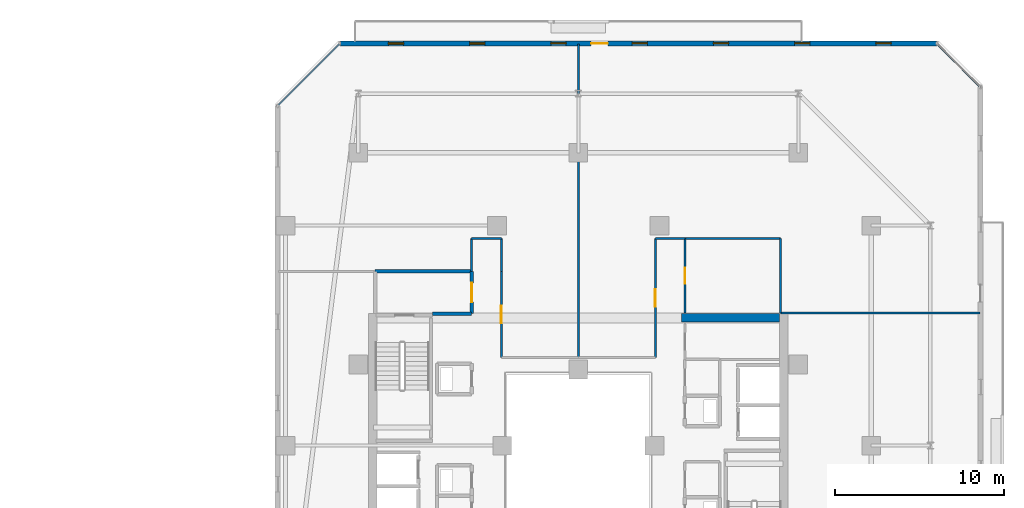
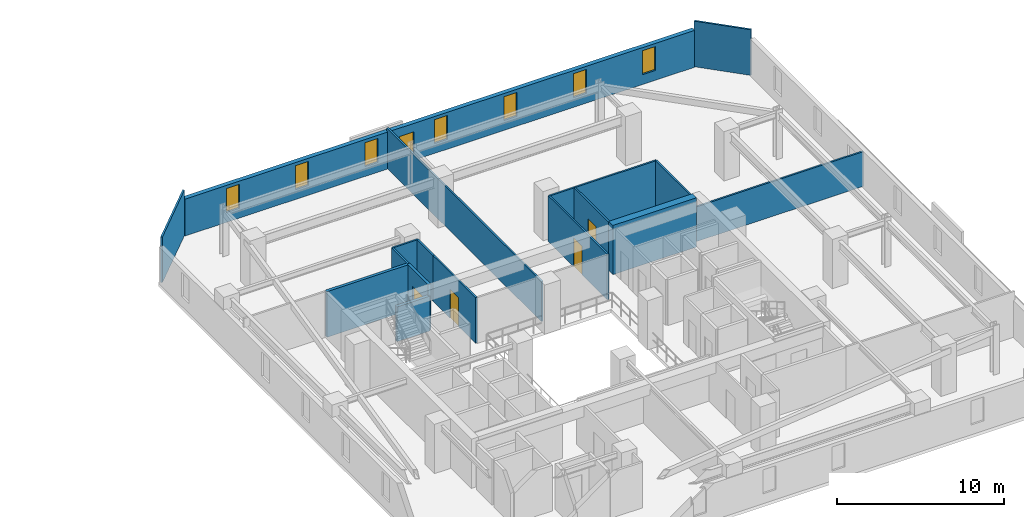
# One storey, part 25 of 32: 18 walls, 7 windows, 5 doors, 12 openings.
"""IFC4 building model written with IfcOpenShell, lengths in metres."""

from ifc_helpers import new_model, si_unit, direction, frame, frame_2d, origin, place, context, subcontext, project, spatial, rectangle, extrude, material, layer, layer_set, type_object, element, fill, save


model = new_model("IFC4")

# Units and contexts
model_context = context("Model", 3, precision=1e-05, world=origin(), true_north=direction((0.0, 1.0)))
body_context = subcontext(model_context, "Body", "Model", "MODEL_VIEW")
ifc_project = project(units=[si_unit("LENGTHUNIT", "METRE"), si_unit("AREAUNIT", "SQUARE_METRE"), si_unit("VOLUMEUNIT", "CUBIC_METRE"), si_unit("PLANEANGLEUNIT", "RADIAN"), si_unit("MASSUNIT", "GRAM", prefix="KILO")], contexts=[model_context])

# Site, building, storey
site_placement = place(None, origin())
site = spatial("IfcSite", under=ifc_project, at=site_placement, CompositionType="ELEMENT")
building_placement = place(site_placement, origin())
building = spatial("IfcBuilding", under=site, at=building_placement, Name="Thornwick Lancets Civic Towers", CompositionType="ELEMENT")
storey_placement = place(building_placement, frame((0.0, 0.0, 156.300048828125)))
storey = spatial("IfcBuildingStorey", under=building, at=storey_placement, Name="L41", CompositionType="ELEMENT", Elevation=156.300048828125)

# Wall
ifc_material_1 = material(Name="Concrete blockwork C40/50", Category="masonry")
ifc_layer_1 = layer(ifc_material_1, 0.199951171875, Name="Concrete blockwork C40/50")
ifc_layer_set_1 = layer_set([ifc_layer_1], Name="Concrete blockwork C40/50")
wall_type_1 = type_object("IfcWallType", Name="WALL_COMP_200", PredefinedType="STANDARD", material=ifc_layer_set_1)
wall_1_placement = place(storey_placement, frame((79.89990234375, 34.800048828125, 0.0), z_axis=(0.0, 0.0, 1.0), x_axis=(1.0, 0.0, 0.0)))
element("IfcWall", 1, at=wall_1_placement, inside=storey, type_object=wall_type_1, Name="L41 Partition L41-B-FFLOB2 E1", PredefinedType="STANDARD", context=body_context, shape_type="SweptSolid", body=[
    extrude(rectangle(XDim=2.300048828125, YDim=0.199951171875, at=frame_2d((1.14990234375, 0.0))), origin(), (0.0, 0.0, 1.0), 2.544921875),
])

# Wall, opening, door
wall_2_placement = place(storey_placement, frame((82.199951171875, 34.800048828125, 0.0), z_axis=(0.0, 0.0, 1.0), x_axis=(0.0, 1.0, 0.0)))
wall_2 = element("IfcWall", 2, at=wall_2_placement, inside=storey, type_object=wall_type_1, Name="L41 Partition L41-B-FFLOB2 E2", PredefinedType="STANDARD", context=body_context, shape_type="SweptSolid", body=[
    extrude(rectangle(XDim=2.5, YDim=0.199951171875, at=frame_2d((1.25, 0.0))), origin(), (0.0, 0.0, 1.0), 3.33984375),
])
opening_1_placement = place(wall_2_placement, frame((0.675048828125, 0.0, 0.0)))
opening_1 = element("IfcOpeningElement", 3, at=opening_1_placement, cuts=wall_2, Name="Opening D-L41-1841", PredefinedType="OPENING", context=body_context, shape_type="SweptSolid", body=[
    extrude(rectangle(XDim=1.14990234375, YDim=2.10009765625, at=frame_2d((0.574951171875, 1.050048828125))), frame((0.0, 0.10986328125, 0.0), z_axis=(0.0, -1.0, 0.0), x_axis=(1.0, 0.0, 0.0)), (0.0, 0.0, 1.0), 0.219970703125),
])
ifc_material_2 = material(Name="Glazed fire-resisting steel", Category="steel")
door_type_1 = type_object("IfcDoorType", Name="DOOR_LOBBY_FD60", OperationType="NOTDEFINED", PredefinedType="DOOR", material=ifc_material_2)
door_1_placement = place(opening_1_placement, origin())
door_1 = element("IfcDoor", 4, at=door_1_placement, inside=storey, type_object=door_type_1, Name="L41 West Firefighting Lobby 2 Door", OperationType="SINGLE_SWING_RIGHT", OverallHeight=2.10009765625, OverallWidth=1.14990234375, PredefinedType="DOOR", context=body_context, shape_type="SweptSolid", body=[
    extrude(rectangle(XDim=1.14990234375, YDim=2.10009765625, at=frame_2d((0.574951171875, 1.050048828125))), frame((0.0, 0.02490234375, 0.0), z_axis=(0.0, -1.0, 0.0), x_axis=(1.0, 0.0, 0.0)), (0.0, 0.0, 1.0), 0.050048828125),
])
fill(opening_1, door_1)

# Walls
wall_3_placement = place(storey_placement, frame((82.199951171875, 37.300048828125, 0.0), z_axis=(0.0, 0.0, 1.0), x_axis=(-1.0, 0.0, 0.0)))
element("IfcWall", 5, at=wall_3_placement, inside=storey, type_object=wall_type_1, Name="L41 Partition L41-B-FFLOB2 E3", PredefinedType="STANDARD", context=body_context, shape_type="SweptSolid", body=[
    extrude(rectangle(XDim=5.699951171875, YDim=0.199951171875, at=frame_2d((2.85009765625, 0.0))), origin(), (0.0, 0.0, 1.0), 3.33984375),
])
ifc_material_3 = material(Name="Concrete C50/60", Category="concrete")
ifc_layer_2 = layer(ifc_material_3, 0.5, Name="Concrete C50/60")
ifc_layer_set_2 = layer_set([ifc_layer_2], Name="Concrete C50/60")
wall_type_2 = type_object("IfcWallType", Name="WALL_CORE_500", PredefinedType="SHEAR", material=ifc_layer_set_2)
wall_4_placement = place(storey_placement, frame((94.60009765625, 34.550048828125, 0.0), z_axis=(0.0, 0.0, 1.0), x_axis=(1.0, 0.0, 0.0)))
element("IfcWall", 6, at=wall_4_placement, inside=storey, type_object=wall_type_2, Name="L41 Split Core B1 Shear Wall N", PredefinedType="SHEAR", context=body_context, shape_type="SweptSolid", body=[
    extrude(rectangle(XDim=5.7998046875, YDim=0.5, at=frame_2d((2.89990234375, 0.0))), origin(), (0.0, 0.0, 1.0), 3.599853515625),
])

# Wall, openings, door, windows
ifc_material_4 = material(Name="Insulated russet terracotta rainscreen on concrete C40/50", Category="masonry")
ifc_layer_3 = layer(ifc_material_4, 0.300048828125, Name="Insulated russet terracotta rainscreen on concrete C40/50")
ifc_layer_set_3 = layer_set([ifc_layer_3], Name="Insulated russet terracotta rainscreen on concrete C40/50")
wall_type_3 = type_object("IfcWallType", Name="WALL_EXT_RUSSET_300", PredefinedType="STANDARD", material=ifc_layer_set_3)
wall_5_placement = place(storey_placement, frame((109.681396484375, 50.7646484375, 0.0), z_axis=(0.0, 0.0, 1.0), x_axis=(-0.999999994606, -0.000103863011, 0.0)))
wall_5 = element("IfcWall", 7, at=wall_5_placement, inside=storey, type_object=wall_type_3, Name="L41 Tower B Terracotta Facade Wall E4", PredefinedType="STANDARD", context=body_context, shape_type="SweptSolid", body=[
    extrude(rectangle(XDim=35.259033203125, YDim=0.300048828125, at=frame_2d((17.62939453125, 0.0))), origin(), (0.0, 0.0, 1.0), 2.699951171875),
])
opening_2_placement = place(wall_5_placement, frame((19.4296875, 0.0, 0.0)))
opening_2 = element("IfcOpeningElement", 8, at=opening_2_placement, cuts=wall_5, Name="Opening D-BL-L41-BN", PredefinedType="OPENING", context=body_context, shape_type="SweptSolid", body=[
    extrude(rectangle(XDim=1.0, YDim=2.080078125, at=frame_2d((0.5, 1.0400390625))), frame((0.0, 0.16015625, 0.0), z_axis=(0.0, -1.0, 0.0), x_axis=(1.0, 0.0, 0.0)), (0.0, 0.0, 1.0), 0.320068359375),
])
opening_3_placement = place(wall_5_placement, frame((2.699951171875, 0.0, 0.719970703125)))
opening_3 = element("IfcOpeningElement", 9, at=opening_3_placement, cuts=wall_5, Name="Opening WL-01", PredefinedType="OPENING", context=body_context, shape_type="SweptSolid", body=[
    extrude(rectangle(XDim=0.89990234375, YDim=1.75, at=frame_2d((0.449951171875, 0.875))), frame((0.0, 0.16015625, 0.0), z_axis=(0.0, -1.0, 0.0), x_axis=(1.0, 0.0, 0.0)), (0.0, 0.0, 1.0), 0.320068359375),
])
opening_4_placement = place(wall_5_placement, frame((7.5, 0.0, 0.719970703125)))
opening_4 = element("IfcOpeningElement", 10, at=opening_4_placement, cuts=wall_5, Name="Opening WL-01", PredefinedType="OPENING", context=body_context, shape_type="SweptSolid", body=[
    extrude(rectangle(XDim=0.89990234375, YDim=1.75, at=frame_2d((0.449951171875, 0.875))), frame((0.0, 0.16015625, 0.0), z_axis=(0.0, -1.0, 0.0), x_axis=(1.0, 0.0, 0.0)), (0.0, 0.0, 1.0), 0.320068359375),
])
opening_5_placement = place(wall_5_placement, frame((12.300048828125, 0.0, 0.719970703125)))
opening_5 = element("IfcOpeningElement", 11, at=opening_5_placement, cuts=wall_5, Name="Opening WL-01", PredefinedType="OPENING", context=body_context, shape_type="SweptSolid", body=[
    extrude(rectangle(XDim=0.89990234375, YDim=1.75, at=frame_2d((0.449951171875, 0.875))), frame((0.0, 0.16015625, 0.0), z_axis=(0.0, -1.0, 0.0), x_axis=(1.0, 0.0, 0.0)), (0.0, 0.0, 1.0), 0.320068359375),
])
opening_6_placement = place(wall_5_placement, frame((17.10009765625, 0.0, 0.719970703125)))
opening_6 = element("IfcOpeningElement", 12, at=opening_6_placement, cuts=wall_5, Name="Opening WL-01", PredefinedType="OPENING", context=body_context, shape_type="SweptSolid", body=[
    extrude(rectangle(XDim=0.89990234375, YDim=1.75, at=frame_2d((0.449951171875, 0.875))), frame((0.0, 0.16015625, 0.0), z_axis=(0.0, -1.0, 0.0), x_axis=(1.0, 0.0, 0.0)), (0.0, 0.0, 1.0), 0.320068359375),
])
opening_7_placement = place(wall_5_placement, frame((21.89990234375, 0.0, 0.719970703125)))
opening_7 = element("IfcOpeningElement", 13, at=opening_7_placement, cuts=wall_5, Name="Opening WL-01", PredefinedType="OPENING", context=body_context, shape_type="SweptSolid", body=[
    extrude(rectangle(XDim=0.89990234375, YDim=1.75, at=frame_2d((0.449951171875, 0.875))), frame((0.0, 0.16015625, 0.0), z_axis=(0.0, -1.0, 0.0), x_axis=(1.0, 0.0, 0.0)), (0.0, 0.0, 1.0), 0.320068359375),
])
opening_8_placement = place(wall_5_placement, frame((26.699951171875, 0.0, 0.719970703125)))
opening_8 = element("IfcOpeningElement", 14, at=opening_8_placement, cuts=wall_5, Name="Opening WL-01", PredefinedType="OPENING", context=body_context, shape_type="SweptSolid", body=[
    extrude(rectangle(XDim=0.89990234375, YDim=1.75, at=frame_2d((0.449951171875, 0.875))), frame((0.0, 0.16015625, 0.0), z_axis=(0.0, -1.0, 0.0), x_axis=(1.0, 0.0, 0.0)), (0.0, 0.0, 1.0), 0.320068359375),
])
opening_9_placement = place(wall_5_placement, frame((31.5, 0.0, 0.719970703125)))
opening_9 = element("IfcOpeningElement", 15, at=opening_9_placement, cuts=wall_5, Name="Opening WL-01", PredefinedType="OPENING", context=body_context, shape_type="SweptSolid", body=[
    extrude(rectangle(XDim=0.89990234375, YDim=1.75, at=frame_2d((0.449951171875, 0.875))), frame((0.0, 0.16015625, 0.0), z_axis=(0.0, -1.0, 0.0), x_axis=(1.0, 0.0, 0.0)), (0.0, 0.0, 1.0), 0.320068359375),
])
ifc_material_5 = material(Name="Thermally broken glazed loggia doorset")
door_type_2 = type_object("IfcDoorType", Name="DOOR_BALC_1000", OperationType="NOTDEFINED", PredefinedType="DOOR", material=ifc_material_5)
door_2_placement = place(opening_2_placement, origin())
door_2 = element("IfcDoor", 16, at=door_2_placement, inside=storey, type_object=door_type_2, Name="L41 Tower B Loggia Balcony Door N", OperationType="SINGLE_SWING_RIGHT", OverallHeight=2.080078125, OverallWidth=1.0, PredefinedType="DOOR", context=body_context, shape_type="SweptSolid", body=[
    extrude(rectangle(XDim=1.0, YDim=2.080078125, at=frame_2d((0.5, 1.0400390625))), frame((0.0, 0.02490234375, 0.0), z_axis=(0.0, -1.0, 0.0), x_axis=(1.0, 0.0, 0.0)), (0.0, 0.0, 1.0), 0.050048828125),
])
fill(opening_2, door_2)
ifc_material_6 = material(Name="Clear low-e double glazing in bronze frame", Category="glass")
window_type = type_object("IfcWindowType", Name="WIN_LANCET_900", PartitioningType="SINGLE_PANEL", PredefinedType="WINDOW", material=ifc_material_6)
window_1_placement = place(opening_3_placement, origin())
window_1 = element("IfcWindow", 17, at=window_1_placement, inside=storey, type_object=window_type, Name="L41 Tower B Staggered Lancet Window E4-1", OverallHeight=1.75, OverallWidth=0.89990234375, PartitioningType="SINGLE_PANEL", PredefinedType="WINDOW", context=body_context, shape_type="SweptSolid", body=[
    extrude(rectangle(XDim=0.89990234375, YDim=1.75, at=frame_2d((0.449951171875, 0.875))), frame((0.0, 0.030029296875, 0.0), z_axis=(0.0, -1.0, 0.0), x_axis=(1.0, 0.0, 0.0)), (0.0, 0.0, 1.0), 0.06005859375),
])
fill(opening_3, window_1)
window_2_placement = place(opening_4_placement, origin())
window_2 = element("IfcWindow", 18, at=window_2_placement, inside=storey, type_object=window_type, Name="L41 Tower B Staggered Lancet Window E4-2", OverallHeight=1.75, OverallWidth=0.89990234375, PartitioningType="SINGLE_PANEL", PredefinedType="WINDOW", context=body_context, shape_type="SweptSolid", body=[
    extrude(rectangle(XDim=0.89990234375, YDim=1.75, at=frame_2d((0.449951171875, 0.875))), frame((0.0, 0.030029296875, 0.0), z_axis=(0.0, -1.0, 0.0), x_axis=(1.0, 0.0, 0.0)), (0.0, 0.0, 1.0), 0.06005859375),
])
fill(opening_4, window_2)
window_3_placement = place(opening_5_placement, origin())
window_3 = element("IfcWindow", 19, at=window_3_placement, inside=storey, type_object=window_type, Name="L41 Tower B Staggered Lancet Window E4-3", OverallHeight=1.75, OverallWidth=0.89990234375, PartitioningType="SINGLE_PANEL", PredefinedType="WINDOW", context=body_context, shape_type="SweptSolid", body=[
    extrude(rectangle(XDim=0.89990234375, YDim=1.75, at=frame_2d((0.449951171875, 0.875))), frame((0.0, 0.030029296875, 0.0), z_axis=(0.0, -1.0, 0.0), x_axis=(1.0, 0.0, 0.0)), (0.0, 0.0, 1.0), 0.06005859375),
])
fill(opening_5, window_3)
window_4_placement = place(opening_6_placement, origin())
window_4 = element("IfcWindow", 20, at=window_4_placement, inside=storey, type_object=window_type, Name="L41 Tower B Staggered Lancet Window E4-4", OverallHeight=1.75, OverallWidth=0.89990234375, PartitioningType="SINGLE_PANEL", PredefinedType="WINDOW", context=body_context, shape_type="SweptSolid", body=[
    extrude(rectangle(XDim=0.89990234375, YDim=1.75, at=frame_2d((0.449951171875, 0.875))), frame((0.0, 0.030029296875, 0.0), z_axis=(0.0, -1.0, 0.0), x_axis=(1.0, 0.0, 0.0)), (0.0, 0.0, 1.0), 0.06005859375),
])
fill(opening_6, window_4)
window_5_placement = place(opening_7_placement, origin())
window_5 = element("IfcWindow", 21, at=window_5_placement, inside=storey, type_object=window_type, Name="L41 Tower B Staggered Lancet Window E4-5", OverallHeight=1.75, OverallWidth=0.89990234375, PartitioningType="SINGLE_PANEL", PredefinedType="WINDOW", context=body_context, shape_type="SweptSolid", body=[
    extrude(rectangle(XDim=0.89990234375, YDim=1.75, at=frame_2d((0.449951171875, 0.875))), frame((0.0, 0.030029296875, 0.0), z_axis=(0.0, -1.0, 0.0), x_axis=(1.0, 0.0, 0.0)), (0.0, 0.0, 1.0), 0.06005859375),
])
fill(opening_7, window_5)
window_6_placement = place(opening_8_placement, origin())
window_6 = element("IfcWindow", 22, at=window_6_placement, inside=storey, type_object=window_type, Name="L41 Tower B Staggered Lancet Window E4-6", OverallHeight=1.75, OverallWidth=0.89990234375, PartitioningType="SINGLE_PANEL", PredefinedType="WINDOW", context=body_context, shape_type="SweptSolid", body=[
    extrude(rectangle(XDim=0.89990234375, YDim=1.75, at=frame_2d((0.449951171875, 0.875))), frame((0.0, 0.030029296875, 0.0), z_axis=(0.0, -1.0, 0.0), x_axis=(1.0, 0.0, 0.0)), (0.0, 0.0, 1.0), 0.06005859375),
])
fill(opening_8, window_6)
window_7_placement = place(opening_9_placement, origin())
window_7 = element("IfcWindow", 23, at=window_7_placement, inside=storey, type_object=window_type, Name="L41 Tower B Staggered Lancet Window E4-7", OverallHeight=1.75, OverallWidth=0.89990234375, PartitioningType="SINGLE_PANEL", PredefinedType="WINDOW", context=body_context, shape_type="SweptSolid", body=[
    extrude(rectangle(XDim=0.89990234375, YDim=1.75, at=frame_2d((0.449951171875, 0.875))), frame((0.0, 0.030029296875, 0.0), z_axis=(0.0, -1.0, 0.0), x_axis=(1.0, 0.0, 0.0)), (0.0, 0.0, 1.0), 0.06005859375),
])
fill(opening_9, window_7)

# Wall
ifc_material_7 = material(Name="Acoustic gypsum board partition")
ifc_layer_4 = layer(ifc_material_7, 0.1201171875, Name="Acoustic gypsum board partition")
ifc_layer_set_4 = layer_set([ifc_layer_4], Name="Acoustic gypsum board partition")
wall_type_4 = type_object("IfcWallType", Name="WALL_PART_120", PredefinedType="PARTITIONING", material=ifc_layer_set_4)
wall_6_placement = place(storey_placement, frame((100.449951171875, 39.25, 0.0), z_axis=(0.0, 0.0, 1.0), x_axis=(0.0, -1.0, 0.0)))
element("IfcWall", 24, at=wall_6_placement, inside=storey, type_object=wall_type_4, Name="L41 Partition L41-B-RECLAIM-L1 E1", PredefinedType="PARTITIONING", context=body_context, shape_type="SweptSolid", body=[
    extrude(rectangle(XDim=4.39990234375, YDim=0.1201171875, at=frame_2d((2.199951171875, 0.0))), origin(), (0.0, 0.0, 1.0), 3.33984375),
])

# Wall, opening, door
wall_7_placement = place(storey_placement, frame((94.800048828125, 34.85009765625, 0.0), z_axis=(0.0, 0.0, 1.0), x_axis=(0.0, 1.0, 0.0)))
wall_7 = element("IfcWall", 25, at=wall_7_placement, inside=storey, type_object=wall_type_4, Name="L41 Partition L41-B-RECLAIM-L1 E3", PredefinedType="PARTITIONING", context=body_context, shape_type="SweptSolid", body=[
    extrude(rectangle(XDim=4.39990234375, YDim=0.1201171875, at=frame_2d((2.199951171875, 0.0))), origin(), (0.0, 0.0, 1.0), 3.33984375),
])
opening_10_placement = place(wall_7_placement, frame((1.72509765625, 0.0, 0.0)))
opening_10 = element("IfcOpeningElement", 26, at=opening_10_placement, cuts=wall_7, Name="Opening D-L41-1856", PredefinedType="OPENING", context=body_context, shape_type="SweptSolid", body=[
    extrude(rectangle(XDim=0.949951171875, YDim=2.10009765625, at=frame_2d((0.47509765625, 1.050048828125))), frame((0.0, 0.070068359375, 0.0), z_axis=(0.0, -1.0, 0.0), x_axis=(1.0, 0.0, 0.0)), (0.0, 0.0, 1.0), 0.14013671875),
])
ifc_material_8 = material(Name="European oak acoustic doorset")
door_type_3 = type_object("IfcDoorType", Name="DOOR_OFFICE_950", OperationType="NOTDEFINED", PredefinedType="DOOR", material=ifc_material_8)
door_3_placement = place(opening_10_placement, origin())
door_3 = element("IfcDoor", 27, at=door_3_placement, inside=storey, type_object=door_type_3, Name="L41 Tower B Policy Archive and Library Door", OperationType="SINGLE_SWING_LEFT", OverallHeight=2.10009765625, OverallWidth=0.949951171875, PredefinedType="DOOR", context=body_context, shape_type="SweptSolid", body=[
    extrude(rectangle(XDim=0.949951171875, YDim=2.10009765625, at=frame_2d((0.47509765625, 1.050048828125))), frame((0.0, 0.02490234375, 0.0), z_axis=(0.0, -1.0, 0.0), x_axis=(1.0, 0.0, 0.0)), (0.0, 0.0, 1.0), 0.050048828125),
])
fill(opening_10, door_3)

# Walls
wall_8_placement = place(storey_placement, frame((94.800048828125, 39.25, 0.0), z_axis=(0.0, 0.0, 1.0), x_axis=(1.0, 0.0, 0.0)))
element("IfcWall", 28, at=wall_8_placement, inside=storey, type_object=wall_type_4, Name="L41 Partition L41-B-RECLAIM-L1 E4", PredefinedType="PARTITIONING", context=body_context, shape_type="SweptSolid", body=[
    extrude(rectangle(XDim=5.64990234375, YDim=0.1201171875, at=frame_2d((2.824951171875, 0.0))), origin(), (0.0, 0.0, 1.0), 3.33984375),
])
wall_9_placement = place(storey_placement, frame((94.800048828125, 39.25, 0.0), z_axis=(0.0, 0.0, 1.0), x_axis=(-1.0, 0.0, 0.0)))
element("IfcWall", 29, at=wall_9_placement, inside=storey, type_object=wall_type_4, Name="L41 Partition L41-B-E1 E3", PredefinedType="PARTITIONING", context=body_context, shape_type="SweptSolid", body=[
    extrude(rectangle(XDim=1.75, YDim=0.1201171875, at=frame_2d((0.875, 0.0))), origin(), (0.0, 0.0, 1.0), 3.33984375),
])

# Wall, opening, door
wall_10_placement = place(storey_placement, frame((93.050048828125, 39.25, 0.0), z_axis=(0.0, 0.0, 1.0), x_axis=(0.0, -1.0, 0.0)))
wall_10 = element("IfcWall", 30, at=wall_10_placement, inside=storey, type_object=wall_type_4, Name="L41 Partition L41-B-E1 E4", PredefinedType="PARTITIONING", context=body_context, shape_type="SweptSolid", body=[
    extrude(rectangle(XDim=7.050048828125, YDim=0.1201171875, at=frame_2d((3.52490234375, 0.0))), origin(), (0.0, 0.0, 1.0), 3.33984375),
])
opening_11_placement = place(wall_10_placement, frame((3.0, 0.0, 0.0)))
opening_11 = element("IfcOpeningElement", 31, at=opening_11_placement, cuts=wall_10, Name="Opening D-L41-1859", PredefinedType="OPENING", context=body_context, shape_type="SweptSolid", body=[
    extrude(rectangle(XDim=1.050048828125, YDim=2.10009765625, at=frame_2d((0.52490234375, 1.050048828125))), frame((0.0, 0.070068359375, 0.0), z_axis=(0.0, -1.0, 0.0), x_axis=(1.0, 0.0, 0.0)), (0.0, 0.0, 1.0), 0.14013671875),
])
ifc_material_9 = material(Name="Glazed European oak executive doorset")
door_type_4 = type_object("IfcDoorType", Name="DOOR_OFFICE_1050", OperationType="NOTDEFINED", PredefinedType="DOOR", material=ifc_material_9)
door_4_placement = place(opening_11_placement, origin())
door_4 = element("IfcDoor", 32, at=door_4_placement, inside=storey, type_object=door_type_4, Name="L41 Tower B Secretariat Open Office E1 Door", OperationType="SINGLE_SWING_RIGHT", OverallHeight=2.10009765625, OverallWidth=1.050048828125, PredefinedType="DOOR", context=body_context, shape_type="SweptSolid", body=[
    extrude(rectangle(XDim=1.050048828125, YDim=2.10009765625, at=frame_2d((0.52490234375, 1.050048828125))), frame((0.0, 0.02490234375, 0.0), z_axis=(0.0, -1.0, 0.0), x_axis=(1.0, 0.0, 0.0)), (0.0, 0.0, 1.0), 0.050048828125),
])
fill(opening_11, door_4)

# Walls
wall_11_placement = place(storey_placement, frame((88.5, 32.199951171875, 0.0), z_axis=(0.0, 0.0, 1.0), x_axis=(0.0, 1.0, 0.0)))
element("IfcWall", 33, at=wall_11_placement, inside=storey, type_object=wall_type_4, Name="L41 Partition L41-B-E1 E6", PredefinedType="PARTITIONING", context=body_context, shape_type="SweptSolid", body=[
    extrude(rectangle(XDim=18.52001953125, YDim=0.1201171875, at=frame_2d((9.260009765625, 0.0))), origin(), (0.0, 0.0, 1.0), 2.93212890625),
])
wall_12_placement = place(storey_placement, frame((109.725341796875, 50.719970703125, 0.0), z_axis=(0.0, 0.0, 1.0), x_axis=(0.707106781187, -0.707106781187, 0.0)))
element("IfcWall", 34, at=wall_12_placement, inside=storey, type_object=wall_type_4, Name="L41 Partition L41-B-E1 E8", PredefinedType="PARTITIONING", context=body_context, shape_type="SweptSolid", body=[
    extrude(rectangle(XDim=3.52783203125, YDim=0.1201171875, at=frame_2d((1.763916015625, 0.0))), origin(), (0.0, 0.0, 1.0), 3.33984375),
])
wall_13_placement = place(storey_placement, frame((112.219970703125, 34.85009765625, 0.0), z_axis=(0.0, 0.0, 1.0), x_axis=(-1.0, 0.0, 0.0)))
element("IfcWall", 35, at=wall_13_placement, inside=storey, type_object=wall_type_4, Name="L41 Partition L41-B-E1 E10", PredefinedType="PARTITIONING", context=body_context, shape_type="SweptSolid", body=[
    extrude(rectangle(XDim=11.77001953125, YDim=0.1201171875, at=frame_2d((5.885009765625, 0.0))), origin(), (0.0, 0.0, 1.0), 2.544921875),
])

# Wall, opening, door
wall_14_placement = place(storey_placement, frame((83.949951171875, 32.199951171875, 0.0), z_axis=(0.0, 0.0, 1.0), x_axis=(0.0, 1.0, 0.0)))
wall_14 = element("IfcWall", 36, at=wall_14_placement, inside=storey, type_object=wall_type_4, Name="L41 Partition L41-B-E3 E1", PredefinedType="PARTITIONING", context=body_context, shape_type="SweptSolid", body=[
    extrude(rectangle(XDim=5.10009765625, YDim=0.1201171875, at=frame_2d((2.550048828125, 0.0))), origin(), (0.0, 0.0, 1.0), 3.33984375),
])
opening_12_placement = place(wall_14_placement, frame((2.02490234375, 0.0, 0.0)))
opening_12 = element("IfcOpeningElement", 37, at=opening_12_placement, cuts=wall_14, Name="Opening D-L41-1860", PredefinedType="OPENING", context=body_context, shape_type="SweptSolid", body=[
    extrude(rectangle(XDim=1.050048828125, YDim=2.10009765625, at=frame_2d((0.52490234375, 1.050048828125))), frame((0.0, 0.070068359375, 0.0), z_axis=(0.0, -1.0, 0.0), x_axis=(1.0, 0.0, 0.0)), (0.0, 0.0, 1.0), 0.14013671875),
])
door_5_placement = place(opening_12_placement, origin())
door_5 = element("IfcDoor", 38, at=door_5_placement, inside=storey, type_object=door_type_4, Name="L41 Tower B Civic Seminar Room Door", OperationType="SINGLE_SWING_LEFT", OverallHeight=2.10009765625, OverallWidth=1.050048828125, PredefinedType="DOOR", context=body_context, shape_type="SweptSolid", body=[
    extrude(rectangle(XDim=1.050048828125, YDim=2.10009765625, at=frame_2d((0.52490234375, 1.050048828125))), frame((0.0, 0.02490234375, 0.0), z_axis=(0.0, -1.0, 0.0), x_axis=(1.0, 0.0, 0.0)), (0.0, 0.0, 1.0), 0.050048828125),
])
fill(opening_12, door_5)

# Walls
wall_15_placement = place(storey_placement, frame((83.949951171875, 37.300048828125, 0.0), z_axis=(0.0, 0.0, 1.0), x_axis=(0.0, 1.0, 0.0)))
element("IfcWall", 39, at=wall_15_placement, inside=storey, type_object=wall_type_4, Name="L41 Partition L41-B-E3 E2", PredefinedType="PARTITIONING", context=body_context, shape_type="SweptSolid", body=[
    extrude(rectangle(XDim=1.949951171875, YDim=0.1201171875, at=frame_2d((0.97509765625, 0.0))), origin(), (0.0, 0.0, 1.0), 3.33984375),
])
wall_16_placement = place(storey_placement, frame((83.949951171875, 39.25, 0.0), z_axis=(0.0, 0.0, 1.0), x_axis=(-1.0, 0.0, 0.0)))
element("IfcWall", 40, at=wall_16_placement, inside=storey, type_object=wall_type_4, Name="L41 Partition L41-B-E3 E3", PredefinedType="PARTITIONING", context=body_context, shape_type="SweptSolid", body=[
    extrude(rectangle(XDim=1.75, YDim=0.1201171875, at=frame_2d((0.875, 0.0))), origin(), (0.0, 0.0, 1.0), 3.33984375),
])
wall_17_placement = place(storey_placement, frame((82.199951171875, 39.25, 0.0), z_axis=(0.0, 0.0, 1.0), x_axis=(0.0, -1.0, 0.0)))
element("IfcWall", 41, at=wall_17_placement, inside=storey, type_object=wall_type_4, Name="L41 Partition L41-B-E3 E4", PredefinedType="PARTITIONING", context=body_context, shape_type="SweptSolid", body=[
    extrude(rectangle(XDim=1.949951171875, YDim=0.1201171875, at=frame_2d((0.97509765625, 0.0))), origin(), (0.0, 0.0, 1.0), 3.33984375),
])
wall_18_placement = place(storey_placement, frame((70.780029296875, 47.117431640625, 0.0), z_axis=(0.0, 0.0, 1.0), x_axis=(0.707106781187, 0.707106781187, 0.0)))
element("IfcWall", 42, at=wall_18_placement, inside=storey, type_object=wall_type_4, Name="L41 Partition L41-B-E3 E8", PredefinedType="PARTITIONING", context=body_context, shape_type="SweptSolid", body=[
    extrude(rectangle(XDim=5.0947265625, YDim=0.1201171875, at=frame_2d((2.54736328125, 0.0))), origin(), (0.0, 0.0, 1.0), 3.33984375),
])

save(model, "model.ifc")
